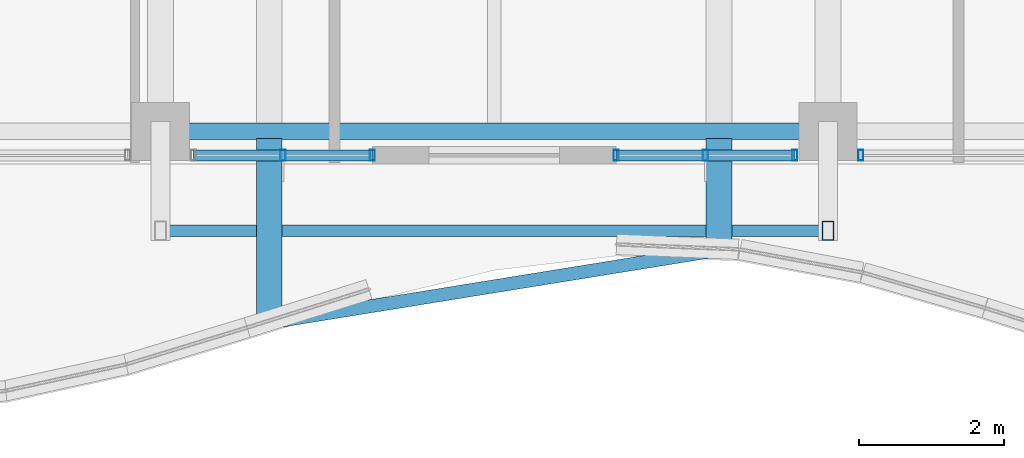
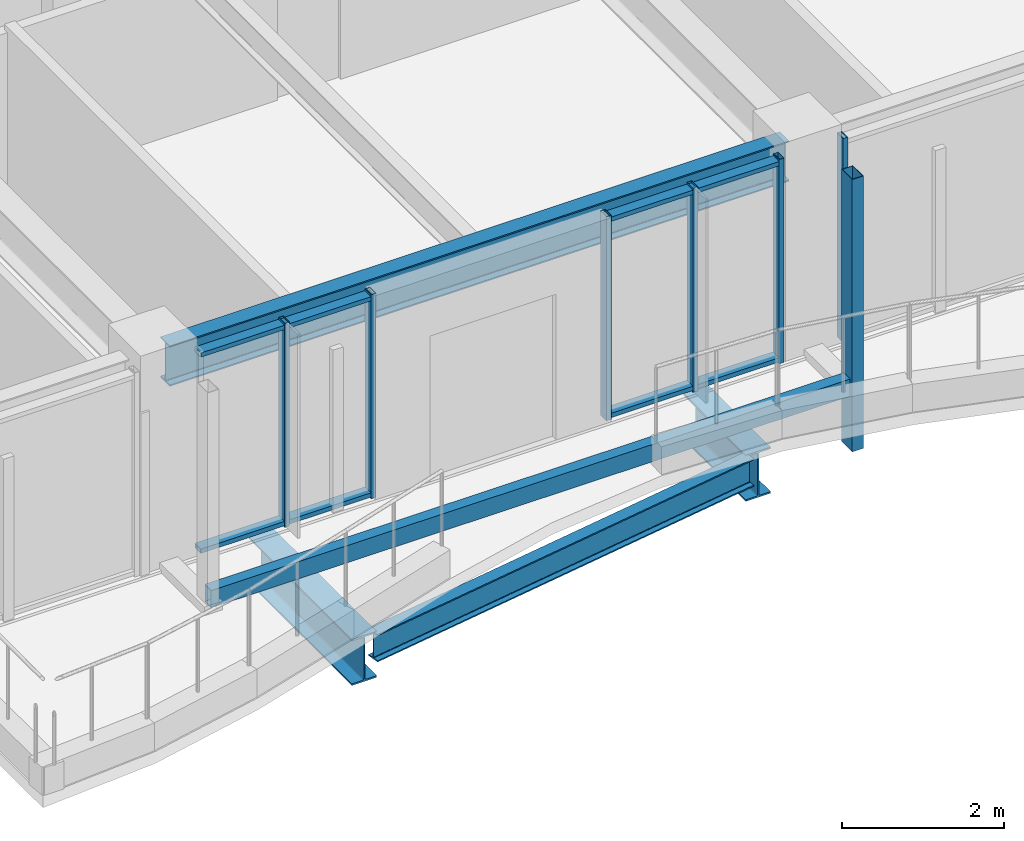
# One storey, part 5 of 38: 12 members, 4 beams, 3 elements without a shape of their own.
"""IFC4 building model written with IfcOpenShell, lengths in metres."""

from ifc_helpers import new_model, si_unit, direction, frame, origin, origin_2d, place, context, subcontext, project, spatial, hollow_rectangle, i_section, extrude, material, material_profile, profile_set, type_object, element, aggregate, save


model = new_model("IFC4")

# Units and contexts
model_context = context("Model", 3, precision=1e-05, world=origin(), true_north=direction((0.0, 1.0)))
body_context = subcontext(model_context, "Body", "Model", "MODEL_VIEW")
ifc_project = project(units=[si_unit("LENGTHUNIT", "METRE"), si_unit("AREAUNIT", "SQUARE_METRE"), si_unit("VOLUMEUNIT", "CUBIC_METRE"), si_unit("PLANEANGLEUNIT", "RADIAN"), si_unit("MASSUNIT", "GRAM", prefix="KILO")], contexts=[model_context])

# Site, building, storey
site_placement = place(None, origin())
site = spatial("IfcSite", under=ifc_project, at=site_placement, CompositionType="ELEMENT")
building_placement = place(site_placement, origin())
building = spatial("IfcBuilding", under=site, at=building_placement, Name="Kolvaren Belvedere", CompositionType="ELEMENT")
storey_placement = place(building_placement, frame((0.0, 0.0, 206.39990234375)))
storey = spatial("IfcBuildingStorey", under=building, at=storey_placement, Name="L60", CompositionType="ELEMENT", Elevation=206.39990234375)

# Beams
ifc_material_1 = material(Name="Structural steel ASTM A992 Grade 50", Category="steel")
ifc_material_profile_1 = material_profile(ifc_material_1, i_section(OverallWidth=0.35498046875, OverallDepth=0.696044921875, WebThickness=0.015380859375, FlangeThickness=0.02490234375, FilletRadius=0.02197265625, at=origin_2d()), Name="W27X146")
ifc_profile_set_1 = profile_set([ifc_material_profile_1], Name="Structural steel ASTM A992 Grade 50")
beam_type_1 = type_object("IfcBeamType", Name="BM-CANT-BAL", PredefinedType="BEAM", material=ifc_profile_set_1)
beam_1_placement = place(storey_placement, frame((-3.10009765625, -20.044921875, -0.56787109375), z_axis=(0.0, -1.0, 0.0), x_axis=(1.0, 0.0, 0.0)))
element("IfcBeam", 1, at=beam_1_placement, inside=storey, type_object=beam_type_1, Name="L60 Planted Balcony Cantilever BAL-S-1", PredefinedType="BEAM", context=body_context, shape_type="SweptSolid", body=[
    extrude(i_section(OverallWidth=0.35498046875, OverallDepth=0.696044921875, WebThickness=0.015380859375, FlangeThickness=0.02490234375, FilletRadius=0.02197265625, at=origin_2d()), origin(), (0.0, 0.0, 1.0), 2.541259765625),
])
beam_2_placement = place(storey_placement, frame((3.10009765625, -20.044921875, -0.56787109375), z_axis=(0.0, -1.0, 0.0), x_axis=(1.0, 0.0, 0.0)))
element("IfcBeam", 2, at=beam_2_placement, inside=storey, type_object=beam_type_1, Name="L60 Planted Balcony Cantilever BAL-S-2", PredefinedType="BEAM", context=body_context, shape_type="SweptSolid", body=[
    extrude(i_section(OverallWidth=0.35498046875, OverallDepth=0.696044921875, WebThickness=0.015380859375, FlangeThickness=0.02490234375, FilletRadius=0.02197265625, at=origin_2d()), origin(), (0.0, 0.0, 1.0), 1.54052734375),
])
ifc_material_2 = material(Name="Structural steel ASTM A992 Grade 50", Category="steel")
ifc_material_profile_2 = material_profile(ifc_material_2, i_section(OverallWidth=0.180908203125, OverallDepth=0.4169921875, WebThickness=0.010986328125, FlangeThickness=0.018310546875, FilletRadius=0.013916015625, at=origin_2d()), Name="W16X57")
ifc_profile_set_2 = profile_set([ifc_material_profile_2], Name="Structural steel ASTM A992 Grade 50")
beam_type_2 = type_object("IfcBeamType", Name="BM-EDGE-W16X57", PredefinedType="BEAM", material=ifc_profile_set_2)
beam_3_placement = place(storey_placement, frame((-2.9619140625, -22.56396484375, -0.428466796875), z_axis=(0.987219034838, 0.159369310891, 0.0), x_axis=(-0.159369310891, 0.987219034838, 0.0)))
element("IfcBeam", 3, at=beam_3_placement, inside=storey, type_object=beam_type_2, Name="L60 Balcony Tip Header Beam BAL-S", PredefinedType="BEAM", context=body_context, shape_type="SweptSolid", body=[
    extrude(i_section(OverallWidth=0.180908203125, OverallDepth=0.4169921875, WebThickness=0.010986328125, FlangeThickness=0.018310546875, FilletRadius=0.013916015625, at=origin_2d()), origin(), (0.0, 0.0, 1.0), 6.00048828125),
])
ifc_material_3 = material(Name="Structural steel ASTM A992 Grade 50", Category="steel")
ifc_material_profile_3 = material_profile(ifc_material_3, i_section(OverallWidth=0.22900390625, OverallDepth=0.612060546875, WebThickness=0.011962890625, FlangeThickness=0.01953125, FilletRadius=0.01806640625, at=origin_2d()), Name="W24X84")
ifc_profile_set_3 = profile_set([ifc_material_profile_3], Name="Structural steel ASTM A992 Grade 50")
beam_type_3 = type_object("IfcBeamType", Name="BM-SPAN-W24X84", PredefinedType="SPANDREL", material=ifc_profile_set_3)
beam_4_placement = place(storey_placement, frame((-4.419921875, -19.949951171875, 2.774169921875), z_axis=(1.0, 0.0, 0.0), x_axis=(0.0, 1.0, 0.0)))
element("IfcBeam", 4, at=beam_4_placement, inside=storey, type_object=beam_type_3, Name="L60 Perimeter Spandrel S2-S3", PredefinedType="SPANDREL", context=body_context, shape_type="SweptSolid", body=[
    extrude(i_section(OverallWidth=0.22900390625, OverallDepth=0.612060546875, WebThickness=0.011962890625, FlangeThickness=0.01953125, FilletRadius=0.01806640625, at=origin_2d()), origin(), (0.0, 0.0, 1.0), 8.83984375),
])

# Curtain wall, member
ifc_material_4 = material(Name="Anodised pale-metal aluminium AA 6063-T6", Category="aluminium")
curtain_wall_type = type_object("IfcCurtainWallType", Name="CW-Z5-HIGH", PredefinedType="NOTDEFINED", material=ifc_material_4)
curtain_wall_1_placement = place(storey_placement, origin())
curtain_wall_1 = element("IfcCurtainWall", 5, at=curtain_wall_1_placement, inside=storey, type_object=curtain_wall_type, Name="L60 Unitised Curtain Wall FCW-L60-S1-B1", PredefinedType="NOTDEFINED")
ifc_material_5 = material(Name="Anodised pale-metal aluminium AA 6063-T6", Category="aluminium")
ifc_material_profile_4 = material_profile(ifc_material_5, hollow_rectangle(XDim=0.070068359375, YDim=0.14990234375, WallThickness=0.004150390625, at=origin_2d()), Name="ALU-MUL-150X70")
ifc_profile_set_4 = profile_set([ifc_material_profile_4], Name="Anodised pale-metal aluminium AA 6063-T6")
member_type_1 = type_object("IfcMemberType", Name="CW-MUL-150", PredefinedType="MULLION", material=ifc_profile_set_4)
member_1_placement = place(storey_placement, frame((5.054931640625, -20.280029296875, 0.0), z_axis=(0.0, 0.0, 1.0), x_axis=(1.0, 0.0, 0.0)))
member_1 = element("IfcMember", 6, at=member_1_placement, type_object=member_type_1, Name="FCW-L60-S1-B1 Unitised Mullion 3", PredefinedType="MULLION", context=body_context, shape_type="SweptSolid", body=[
    extrude(hollow_rectangle(XDim=0.070068359375, YDim=0.14990234375, WallThickness=0.004150390625, at=origin_2d()), origin(), (0.0, 0.0, 1.0), 3.080078125),
])
aggregate(curtain_wall_1, [member_1])

# Curtain wall, members
curtain_wall_2_placement = place(storey_placement, origin())
curtain_wall_2 = element("IfcCurtainWall", 7, at=curtain_wall_2_placement, inside=storey, type_object=curtain_wall_type, Name="L60 Unitised Curtain Wall FCW-L60-S1-B2", PredefinedType="NOTDEFINED")
member_2_placement = place(storey_placement, frame((4.14501953125, -20.280029296875, 0.0), z_axis=(0.0, 0.0, 1.0), x_axis=(1.0, 0.0, 0.0)))
member_2 = element("IfcMember", 8, at=member_2_placement, type_object=member_type_1, Name="FCW-L60-S1-B2 Unitised Mullion 1", PredefinedType="MULLION", context=body_context, shape_type="SweptSolid", body=[
    extrude(hollow_rectangle(XDim=0.070068359375, YDim=0.14990234375, WallThickness=0.004150390625, at=origin_2d()), origin(), (0.0, 0.0, 1.0), 3.080078125),
])
member_3_placement = place(storey_placement, frame((2.91259765625, -20.280029296875, 0.0), z_axis=(0.0, 0.0, 1.0), x_axis=(1.0, 0.0, 0.0)))
member_3 = element("IfcMember", 9, at=member_3_placement, type_object=member_type_1, Name="FCW-L60-S1-B2 Unitised Mullion 2", PredefinedType="MULLION", context=body_context, shape_type="SweptSolid", body=[
    extrude(hollow_rectangle(XDim=0.070068359375, YDim=0.14990234375, WallThickness=0.004150390625, at=origin_2d()), origin(), (0.0, 0.0, 1.0), 3.080078125),
])
member_4_placement = place(storey_placement, frame((1.679931640625, -20.280029296875, 0.0), z_axis=(0.0, 0.0, 1.0), x_axis=(1.0, 0.0, 0.0)))
member_4 = element("IfcMember", 10, at=member_4_placement, type_object=member_type_1, Name="FCW-L60-S1-B2 Unitised Mullion 3", PredefinedType="MULLION", context=body_context, shape_type="SweptSolid", body=[
    extrude(hollow_rectangle(XDim=0.070068359375, YDim=0.14990234375, WallThickness=0.004150390625, at=origin_2d()), origin(), (0.0, 0.0, 1.0), 3.080078125),
])

curtain_wall_3_placement = place(storey_placement, origin())
curtain_wall_3 = element("IfcCurtainWall", 11, at=curtain_wall_3_placement, inside=storey, type_object=curtain_wall_type, Name="L60 Unitised Curtain Wall FCW-L60-S2-B1", PredefinedType="NOTDEFINED")
member_5_placement = place(storey_placement, frame((-1.679931640625, -20.280029296875, 0.0), z_axis=(0.0, 0.0, 1.0), x_axis=(1.0, 0.0, 0.0)))
member_5 = element("IfcMember", 12, at=member_5_placement, type_object=member_type_1, Name="FCW-L60-S2-B1 Unitised Mullion 1", PredefinedType="MULLION", context=body_context, shape_type="SweptSolid", body=[
    extrude(hollow_rectangle(XDim=0.070068359375, YDim=0.14990234375, WallThickness=0.004150390625, at=origin_2d()), origin(), (0.0, 0.0, 1.0), 3.080078125),
])
member_6_placement = place(storey_placement, frame((-2.91259765625, -20.280029296875, 0.0), z_axis=(0.0, 0.0, 1.0), x_axis=(1.0, 0.0, 0.0)))
member_6 = element("IfcMember", 13, at=member_6_placement, type_object=member_type_1, Name="FCW-L60-S2-B1 Unitised Mullion 2", PredefinedType="MULLION", context=body_context, shape_type="SweptSolid", body=[
    extrude(hollow_rectangle(XDim=0.070068359375, YDim=0.14990234375, WallThickness=0.004150390625, at=origin_2d()), origin(), (0.0, 0.0, 1.0), 3.080078125),
])

# Member
ifc_material_6 = material(Name="Anodised pale-metal aluminium AA 6063-T6", Category="aluminium")
ifc_material_profile_5 = material_profile(ifc_material_6, hollow_rectangle(XDim=0.06494140625, YDim=0.14990234375, WallThickness=0.00390625, at=origin_2d()), Name="ALU-TRN-150X65")
ifc_profile_set_5 = profile_set([ifc_material_profile_5], Name="Anodised pale-metal aluminium AA 6063-T6")
member_type_2 = type_object("IfcMemberType", Name="CW-TRN-150", PredefinedType="USERDEFINED", material=ifc_profile_set_5)
member_7_placement = place(storey_placement, frame((4.14501953125, -20.280029296875, 0.06005859375), z_axis=(-1.0, 0.0, 0.0), x_axis=(0.0, 0.0, 1.0)))
member_7 = element("IfcMember", 14, at=member_7_placement, type_object=member_type_2, Name="FCW-L60-S1-B2 Sill Transom", ObjectType="TRANSOM", PredefinedType="USERDEFINED", context=body_context, shape_type="SweptSolid", body=[
    extrude(hollow_rectangle(XDim=0.06494140625, YDim=0.14990234375, WallThickness=0.00390625, at=origin_2d()), origin(), (0.0, 0.0, 1.0), 2.465087890625),
])

member_8_placement = place(storey_placement, frame((4.14501953125, -20.280029296875, 3.02001953125), z_axis=(-1.0, 0.0, 0.0), x_axis=(0.0, 0.0, 1.0)))
member_8 = element("IfcMember", 15, at=member_8_placement, type_object=member_type_2, Name="FCW-L60-S1-B2 Head Transom", ObjectType="TRANSOM", PredefinedType="USERDEFINED", context=body_context, shape_type="SweptSolid", body=[
    extrude(hollow_rectangle(XDim=0.06494140625, YDim=0.14990234375, WallThickness=0.00390625, at=origin_2d()), origin(), (0.0, 0.0, 1.0), 2.465087890625),
])

aggregate(curtain_wall_2, [member_2, member_3, member_4, member_7, member_8])

member_9_placement = place(storey_placement, frame((-1.679931640625, -20.280029296875, 0.06005859375), z_axis=(-1.0, 0.0, 0.0), x_axis=(0.0, 0.0, 1.0)))
member_9 = element("IfcMember", 16, at=member_9_placement, type_object=member_type_2, Name="FCW-L60-S2-B1 Sill Transom", ObjectType="TRANSOM", PredefinedType="USERDEFINED", context=body_context, shape_type="SweptSolid", body=[
    extrude(hollow_rectangle(XDim=0.06494140625, YDim=0.14990234375, WallThickness=0.00390625, at=origin_2d()), origin(), (0.0, 0.0, 1.0), 2.465087890625),
])

member_10_placement = place(storey_placement, frame((-1.679931640625, -20.280029296875, 3.02001953125), z_axis=(-1.0, 0.0, 0.0), x_axis=(0.0, 0.0, 1.0)))
member_10 = element("IfcMember", 17, at=member_10_placement, type_object=member_type_2, Name="FCW-L60-S2-B1 Head Transom", ObjectType="TRANSOM", PredefinedType="USERDEFINED", context=body_context, shape_type="SweptSolid", body=[
    extrude(hollow_rectangle(XDim=0.06494140625, YDim=0.14990234375, WallThickness=0.00390625, at=origin_2d()), origin(), (0.0, 0.0, 1.0), 2.465087890625),
])

aggregate(curtain_wall_3, [member_5, member_6, member_9, member_10])

# Members
ifc_material_7 = material(Name="Anodised pale-metal aluminium AA 6063-T6", Category="aluminium")
ifc_material_profile_6 = material_profile(ifc_material_7, hollow_rectangle(XDim=0.159912109375, YDim=0.260009765625, WallThickness=0.006591796875, at=origin_2d()), Name="ALU-PF-260X160")
ifc_profile_set_6 = profile_set([ifc_material_profile_6], Name="Anodised pale-metal aluminium AA 6063-T6")
member_type_3 = type_object("IfcMemberType", Name="PF-FRAME-260", PredefinedType="USERDEFINED", material=ifc_profile_set_6)
member_11_placement = place(storey_placement, frame((4.60009765625, -21.320068359375, -0.809814453125), z_axis=(0.0, 0.0, 1.0), x_axis=(1.0, 0.0, 0.0)))
element("IfcMember", 18, at=member_11_placement, inside=storey, type_object=member_type_3, Name="L60 Outboard Picture-Frame Vertical S1", ObjectType="PICTURE FRAME FIN", PredefinedType="USERDEFINED", context=body_context, shape_type="SweptSolid", body=[
    extrude(hollow_rectangle(XDim=0.159912109375, YDim=0.260009765625, WallThickness=0.006591796875, at=origin_2d()), origin(), (0.0, 0.0, 1.0), 4.10986328125),
])
member_12_placement = place(storey_placement, frame((4.60009765625, -21.320068359375, 0.130126953125), z_axis=(-1.0, 0.0, 0.0), x_axis=(0.0, -1.0, 0.0)))
element("IfcMember", 19, at=member_12_placement, inside=storey, type_object=member_type_3, Name="L60 Outboard Picture-Frame Sill S", ObjectType="PICTURE FRAME FIN", PredefinedType="USERDEFINED", context=body_context, shape_type="SweptSolid", body=[
    extrude(hollow_rectangle(XDim=0.159912109375, YDim=0.260009765625, WallThickness=0.006591796875, at=origin_2d()), origin(), (0.0, 0.0, 1.0), 9.2001953125),
])

save(model, "model.ifc")
